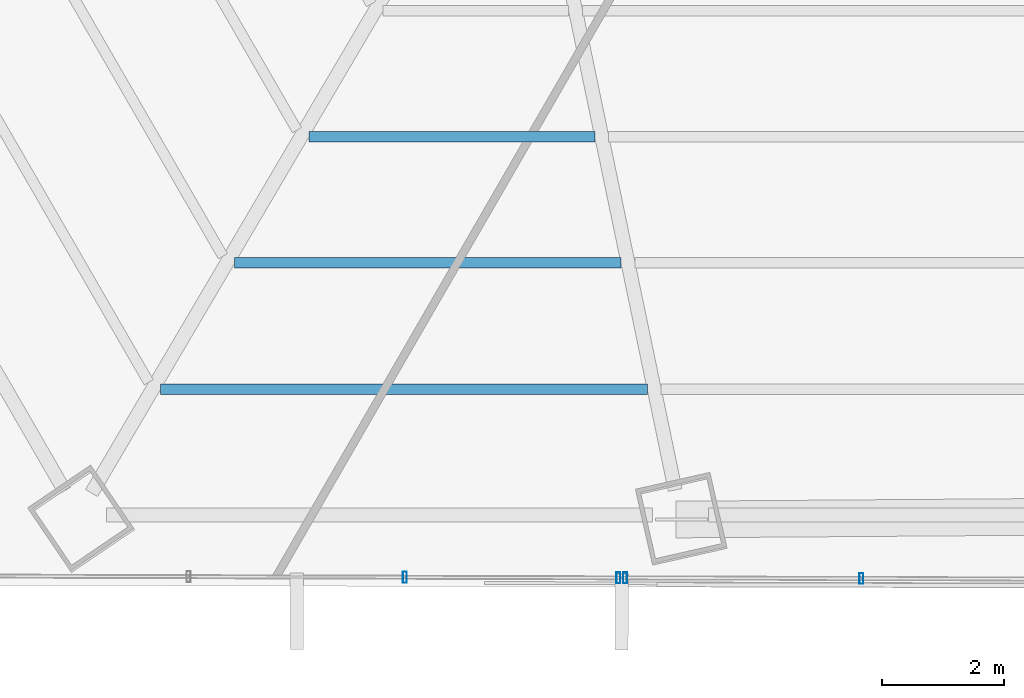
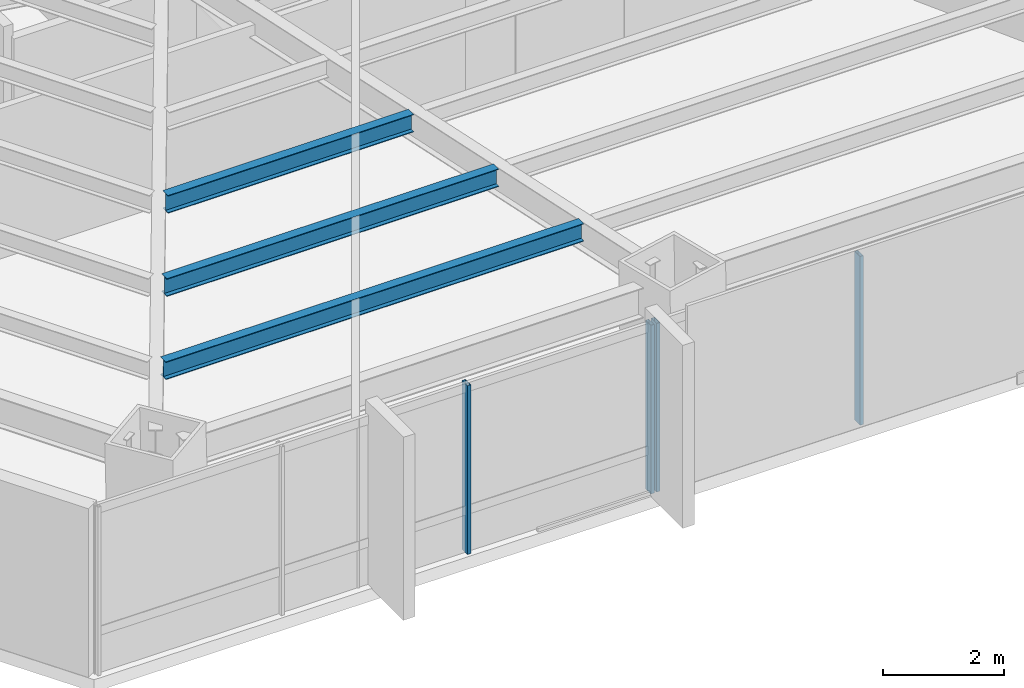
# One storey, part 5 of 33: 4 members, 3 beams, 2 elements without a shape of their own.
"""IFC4 building model written with IfcOpenShell, lengths in metres."""

from ifc_helpers import new_model, si_unit, direction, frame, origin, origin_2d, place, context, subcontext, project, spatial, hollow_rectangle, i_section, extrude, source, transform, mapped, material, material_profile, profile_set, type_object, type_shapes, element, aggregate, save


model = new_model("IFC4")

# Units and contexts
model_context = context("Model", 3, precision=1e-05, world=origin(), true_north=direction((0.0, 1.0)))
body_context = subcontext(model_context, "Body", "Model", "MODEL_VIEW")
ifc_project = project(units=[si_unit("LENGTHUNIT", "METRE"), si_unit("AREAUNIT", "SQUARE_METRE"), si_unit("VOLUMEUNIT", "CUBIC_METRE"), si_unit("PLANEANGLEUNIT", "RADIAN"), si_unit("MASSUNIT", "GRAM", prefix="KILO")], contexts=[model_context])

# Site, building, storey
site_placement = place(None, origin())
site = spatial("IfcSite", under=ifc_project, at=site_placement, CompositionType="ELEMENT")
building_placement = place(site_placement, origin())
building = spatial("IfcBuilding", under=site, at=building_placement, Name="Caelisora Broadcast Tower", CompositionType="ELEMENT")
storey_placement = place(building_placement, frame((0.0, 0.0, 34.89990234375)))
storey = spatial("IfcBuildingStorey", under=building, at=storey_placement, Name="L08", CompositionType="ELEMENT", Elevation=34.89990234375)

# Beams
ifc_material_1 = material(Name="Steel Grade 350 (AS/NZS 3679.1)", Category="steel")
ifc_material_profile_1 = material_profile(ifc_material_1, i_section(OverallWidth=0.172119140625, OverallDepth=0.358642578125, WebThickness=0.008056640625, FlangeThickness=0.012939453125, at=origin_2d()), Name="Steel Grade 350 (AS/NZS 3679.1)")
ifc_profile_set_1 = profile_set([ifc_material_profile_1], Name="Steel Grade 350 (AS/NZS 3679.1)")
beam_type = type_object("IfcBeamType", Name="SB02", PredefinedType="JOIST", material=ifc_profile_set_1)
shared_shape_1 = source(origin(), body_context, "Body", "SweptSolid", [
    extrude(i_section(OverallWidth=0.172119140625, OverallDepth=0.358642578125, WebThickness=0.008056640625, FlangeThickness=0.012939453125, at=origin_2d()), origin(), (0.0, 0.0, 1.0), 4.68408203125),
])
beam_1_placement = place(storey_placement, frame((26.9892578125, 11.20849609375, 3.220703125), z_axis=(1.0, 0.0, 0.0), x_axis=(0.0, 1.0, 0.0)))
element("IfcBeam", 1, at=beam_1_placement, inside=storey, type_object=beam_type, Name="L08 beam SB02", PredefinedType="JOIST", context=body_context, shape_type="MappedRepresentation", body=[
    mapped(shared_shape_1, transform((0.0, 0.0, 0.0), scale=1.0)),
])
shared_shape_2 = source(origin(), body_context, "Body", "SweptSolid", [
    extrude(i_section(OverallWidth=0.172119140625, OverallDepth=0.358642578125, WebThickness=0.008056640625, FlangeThickness=0.012939453125, at=origin_2d()), origin(), (0.0, 0.0, 1.0), 6.326416015625),
])
beam_2_placement = place(storey_placement, frame((25.77587890625, 9.14453125, 3.220703125), z_axis=(1.0, 0.0, 0.0), x_axis=(0.0, 1.0, 0.0)))
element("IfcBeam", 2, at=beam_2_placement, inside=storey, type_object=beam_type, Name="L08 beam SB02", PredefinedType="JOIST", context=body_context, shape_type="MappedRepresentation", body=[
    mapped(shared_shape_2, transform((0.0, 0.0, 0.0), scale=1.0)),
])
shared_shape_3 = source(origin(), body_context, "Body", "SweptSolid", [
    extrude(i_section(OverallWidth=0.172119140625, OverallDepth=0.358642578125, WebThickness=0.008056640625, FlangeThickness=0.012939453125, at=origin_2d()), origin(), (0.0, 0.0, 1.0), 7.96826171875),
])
type_shapes(beam_type, [shared_shape_1, shared_shape_2, shared_shape_3])
beam_3_placement = place(storey_placement, frame((24.562744140625, 7.080810546875, 3.220703125), z_axis=(1.0, 0.0, 0.0), x_axis=(0.0, 1.0, 0.0)))
element("IfcBeam", 3, at=beam_3_placement, inside=storey, type_object=beam_type, Name="L08 beam SB02", PredefinedType="JOIST", context=body_context, shape_type="MappedRepresentation", body=[
    mapped(shared_shape_3, transform((0.0, 0.0, 0.0), scale=1.0)),
])

# Curtain wall, members
ifc_material_2 = material(Name="Unitised Aluminium Insulated Shadow-Box Spandrel Curtain Wall", Category="aluminium")
curtain_wall_type_1 = type_object("IfcCurtainWallType", Name="CW-SP1", PredefinedType="NOTDEFINED", material=ifc_material_2)
curtain_wall_1_placement = place(storey_placement, origin())
curtain_wall_1 = element("IfcCurtainWall", 4, at=curtain_wall_1_placement, inside=storey, type_object=curtain_wall_type_1, Name="L08 curtain wall CW-SP1", PredefinedType="NOTDEFINED")
ifc_material_3 = material(Name="Aluminium 6063-T6 Anodised Terracotta Bronze", Category="aluminium")
ifc_material_profile_2 = material_profile(ifc_material_3, hollow_rectangle(XDim=0.06494140625, YDim=0.179931640625, WallThickness=0.00341796875, at=origin_2d()), Name="Aluminium 6063-T6 Anodised Terracotta Bronze")
ifc_profile_set_2 = profile_set([ifc_material_profile_2], Name="Aluminium 6063-T6 Anodised Terracotta Bronze")
member_type = type_object("IfcMemberType", Name="CWM-02", PredefinedType="MULLION", material=ifc_profile_set_2)
shared_shape_4 = source(origin(), body_context, "Body", "SweptSolid", [
    extrude(hollow_rectangle(XDim=0.06494140625, YDim=0.179931640625, WallThickness=0.00341796875, at=origin_2d()), origin(), (0.0, 0.0, 1.0), 3.400146484375),
])
type_shapes(member_type, [shared_shape_4])
member_1_placement = place(storey_placement, frame((36.037353515625, 3.978759765625, 0.0), z_axis=(0.0, 0.0, 1.0), x_axis=(1.0, 0.0, 0.0)))
member_1 = element("IfcMember", 5, at=member_1_placement, type_object=member_type, Name="L08-CW-B06 mullion #2", PredefinedType="MULLION", context=body_context, shape_type="MappedRepresentation", body=[
    mapped(shared_shape_4, transform((0.0, 0.0, 0.0), scale=1.0)),
])
member_2_placement = place(storey_placement, frame((32.167236328125, 3.989501953125, 0.0), z_axis=(0.0, 0.0, 1.0), x_axis=(1.0, 0.0, 0.0)))
member_2 = element("IfcMember", 6, at=member_2_placement, type_object=member_type, Name="L08-CW-B06 mullion #3", PredefinedType="MULLION", context=body_context, shape_type="MappedRepresentation", body=[
    mapped(shared_shape_4, transform((0.0, 0.0, 0.0), scale=1.0)),
])
aggregate(curtain_wall_1, [member_1, member_2])

ifc_material_4 = material(Name="Unitised Aluminium and Low-E Glass Curtain Wall", Category="glass")
curtain_wall_type_2 = type_object("IfcCurtainWallType", Name="CW-Z1", PredefinedType="NOTDEFINED", material=ifc_material_4)
curtain_wall_2_placement = place(storey_placement, origin())
curtain_wall_2 = element("IfcCurtainWall", 7, at=curtain_wall_2_placement, inside=storey, type_object=curtain_wall_type_2, Name="L08 curtain wall CW-Z1", PredefinedType="NOTDEFINED")
member_3_placement = place(storey_placement, frame((32.05712890625, 3.98974609375, 0.0), z_axis=(0.0, 0.0, 1.0), x_axis=(1.0, 0.0, 0.0)))
member_3 = element("IfcMember", 8, at=member_3_placement, type_object=member_type, Name="L08-CW-B07 mullion #0", PredefinedType="MULLION", context=body_context, shape_type="MappedRepresentation", body=[
    mapped(shared_shape_4, transform((0.0, 0.0, 0.0), scale=1.0)),
])
member_4_placement = place(storey_placement, frame((28.564208984375, 3.99951171875, 0.0), z_axis=(0.0, 0.0, 1.0), x_axis=(1.0, 0.0, 0.0)))
member_4 = element("IfcMember", 9, at=member_4_placement, type_object=member_type, Name="L08-CW-B07 mullion #1", PredefinedType="MULLION", context=body_context, shape_type="MappedRepresentation", body=[
    mapped(shared_shape_4, transform((0.0, 0.0, 0.0), scale=1.0)),
])
aggregate(curtain_wall_2, [member_3, member_4])

save(model, "model.ifc")
